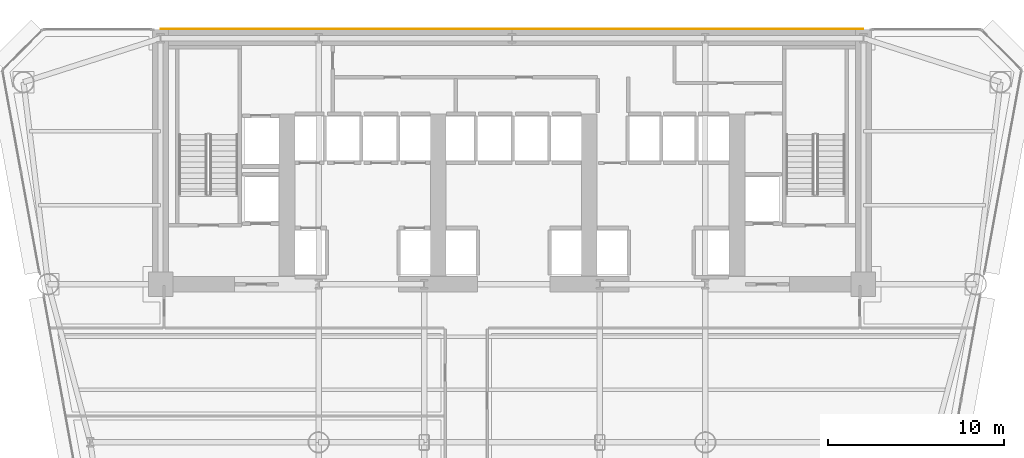
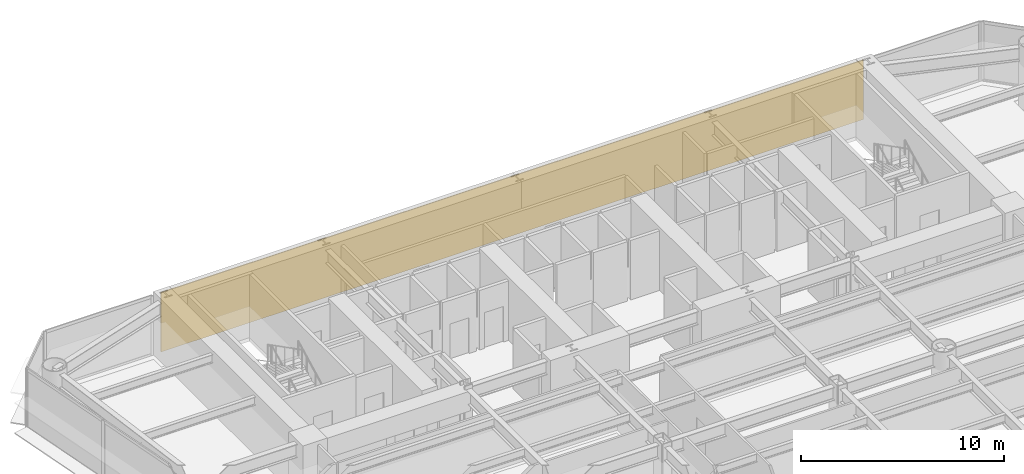
# One storey, part 13 of 14: 1 covering.
"""IFC4 building model written with IfcOpenShell, lengths in metres."""

from ifc_helpers import new_model, si_unit, direction, frame, origin, place, context, subcontext, project, spatial, polyline, outline, extrude, material, layer, layer_set, type_object, element, save


model = new_model("IFC4")

# Units and contexts
model_context = context("Model", 3, precision=1e-05, world=origin(), true_north=direction((0.0, 1.0)))
body_context = subcontext(model_context, "Body", "Model", "MODEL_VIEW")
ifc_project = project(units=[si_unit("LENGTHUNIT", "METRE"), si_unit("AREAUNIT", "SQUARE_METRE"), si_unit("VOLUMEUNIT", "CUBIC_METRE"), si_unit("PLANEANGLEUNIT", "RADIAN"), si_unit("MASSUNIT", "GRAM", prefix="KILO")], contexts=[model_context])

# Site, building, storey
site_placement = place(None, origin())
site = spatial("IfcSite", under=ifc_project, at=site_placement, CompositionType="ELEMENT")
building_placement = place(site_placement, origin())
building = spatial("IfcBuilding", under=site, at=building_placement, Name="Vaeldorn Concourse Tower", CompositionType="ELEMENT")
storey_placement = place(building_placement, frame((0.0, 0.0, 75.800048828125)))
storey = spatial("IfcBuildingStorey", under=building, at=storey_placement, Name="L19", CompositionType="ELEMENT", Elevation=75.800048828125)

# Covering
ifc_material = material(Name="Anodised Bronze Aluminium", Category="aluminium")
ifc_layer = layer(ifc_material, 0.050048828125)
ifc_layer_set = layer_set([ifc_layer], Name="Anodised Bronze Aluminium")
covering_type = type_object("IfcCoveringType", Name="COV-CLAD-BRONZE", PredefinedType="CLADDING", material=ifc_layer_set)
covering_placement = place(storey_placement, origin())
element("IfcCovering", 1, at=covering_placement, inside=storey, type_object=covering_type, Name="Rear Core Bronze Spandrel Cladding L19", PredefinedType="CLADDING", context=body_context, shape_type="SweptSolid", body=[
    extrude(outline(polyline([(14.0, 51.0), (54.0, 51.0), (54.0, 51.050048828125), (14.0, 51.050048828125), (14.0, 51.0)])), origin(), (0.0, 0.0, 1.0), 3.579833984375),
])

save(model, "model.ifc")
